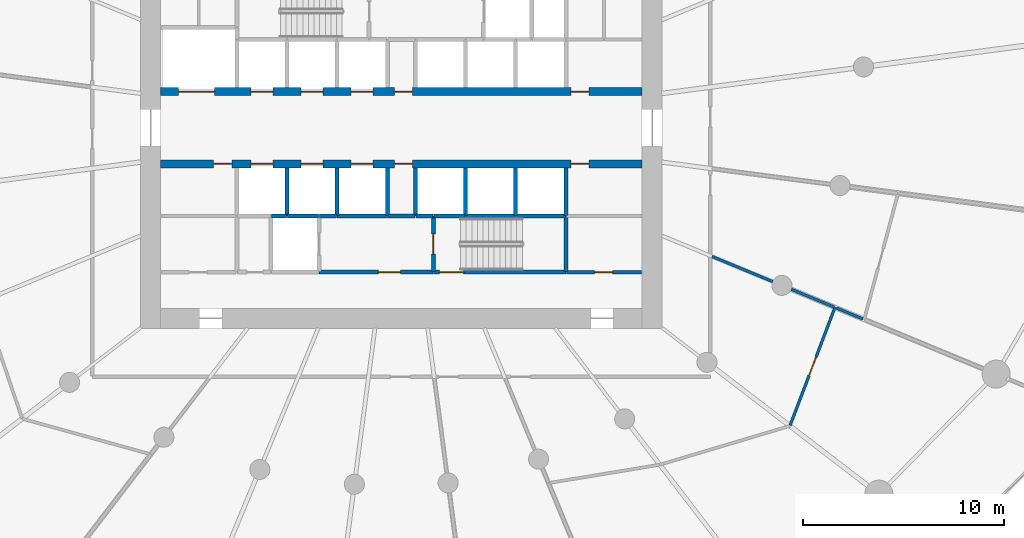
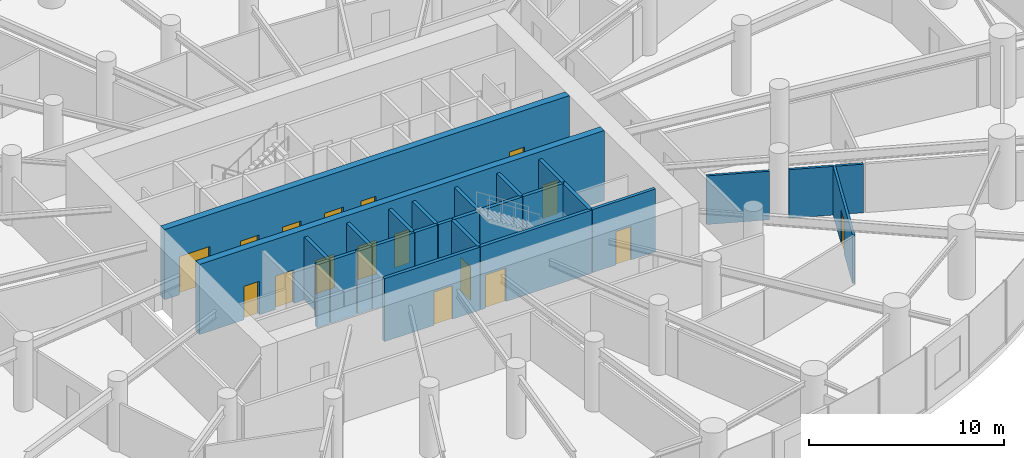
# One storey, part 12 of 19: 27 walls, 17 doors, 17 openings.
"""IFC4 building model written with IfcOpenShell, lengths in metres."""

from ifc_helpers import new_model, si_unit, direction, frame, frame_2d, origin, place, context, subcontext, project, spatial, rectangle, extrude, source, transform, mapped, material, layer, layer_set, type_object, element, fill, save


model = new_model("IFC4")

# Units and contexts
model_context = context("Model", 3, precision=1e-05, world=origin(), true_north=direction((0.0, 1.0)))
body_context = subcontext(model_context, "Body", "Model", "MODEL_VIEW")
ifc_project = project(units=[si_unit("LENGTHUNIT", "METRE"), si_unit("AREAUNIT", "SQUARE_METRE"), si_unit("VOLUMEUNIT", "CUBIC_METRE"), si_unit("PLANEANGLEUNIT", "RADIAN"), si_unit("MASSUNIT", "GRAM", prefix="KILO")], contexts=[model_context])

# Site, building, storey
site_placement = place(None, origin())
site = spatial("IfcSite", under=ifc_project, at=site_placement, CompositionType="ELEMENT")
building_placement = place(site_placement, origin())
building = spatial("IfcBuilding", under=site, at=building_placement, Name="Spindrift Exchange Tower", CompositionType="ELEMENT")
storey_placement = place(building_placement, frame((0.0, 0.0, 22.60009765625)))
storey = spatial("IfcBuildingStorey", under=building, at=storey_placement, Name="L05", CompositionType="ELEMENT", Elevation=22.60009765625)

# Wall, openings, doors
ifc_material_1 = material(Name="Concrete 80 MPa", Category="concrete")
ifc_layer_1 = layer(ifc_material_1, 0.39990234375)
ifc_layer_set_1 = layer_set([ifc_layer_1], Name="RC Spine Wall 400 Concrete 80 MPa")
wall_type_1 = type_object("IfcWallType", Name="RC Spine Wall 400 Concrete 80 MPa", PredefinedType="SHEAR", material=ifc_layer_set_1)
wall_1_placement = place(storey_placement, frame((40.0, 49.800048828125, 0.0), z_axis=(0.0, 0.0, 1.0), x_axis=(1.0, 0.0, 0.0)))
wall_1 = element("IfcWall", 1, at=wall_1_placement, inside=storey, type_object=wall_type_1, Name="Core spine wall N L05", PredefinedType="SHEAR", context=body_context, shape_type="SweptSolid", body=[
    extrude(rectangle(XDim=24.0, YDim=0.39990234375, at=frame_2d((12.0, 0.0))), origin(), (0.0, 0.0, 1.0), 4.39990234375),
])
opening_1_placement = place(wall_1_placement, frame((4.5, 0.0, 0.0)))
opening_1 = element("IfcOpeningElement", 2, at=opening_1_placement, cuts=wall_1, Name="Opening L05-D3", PredefinedType="OPENING", context=body_context, shape_type="SweptSolid", body=[
    extrude(rectangle(XDim=1.10009765625, YDim=2.10009765625, at=frame_2d((0.550048828125, 1.050048828125))), frame((0.0, 0.2099609375, 0.0), z_axis=(0.0, -1.0, 0.0), x_axis=(1.0, 0.0, 0.0)), (0.0, 0.0, 1.0), 0.419921875),
])
opening_2_placement = place(wall_1_placement, frame((7.0, 0.0, 0.0)))
opening_2 = element("IfcOpeningElement", 3, at=opening_2_placement, cuts=wall_1, Name="Opening L05-D4", PredefinedType="OPENING", context=body_context, shape_type="SweptSolid", body=[
    extrude(rectangle(XDim=1.10009765625, YDim=2.10009765625, at=frame_2d((0.550048828125, 1.050048828125))), frame((0.0, 0.2099609375, 0.0), z_axis=(0.0, -1.0, 0.0), x_axis=(1.0, 0.0, 0.0)), (0.0, 0.0, 1.0), 0.419921875),
])
opening_3_placement = place(wall_1_placement, frame((9.5, 0.0, 0.0)))
opening_3 = element("IfcOpeningElement", 4, at=opening_3_placement, cuts=wall_1, Name="Opening L05-D5", PredefinedType="OPENING", context=body_context, shape_type="SweptSolid", body=[
    extrude(rectangle(XDim=1.10009765625, YDim=2.10009765625, at=frame_2d((0.550048828125, 1.050048828125))), frame((0.0, 0.2099609375, 0.0), z_axis=(0.0, -1.0, 0.0), x_axis=(1.0, 0.0, 0.0)), (0.0, 0.0, 1.0), 0.419921875),
])
opening_4_placement = place(wall_1_placement, frame((0.89990234375, 0.0, 0.0)))
opening_4 = element("IfcOpeningElement", 5, at=opening_4_placement, cuts=wall_1, Name="Opening L05-D12", PredefinedType="OPENING", context=body_context, shape_type="SweptSolid", body=[
    extrude(rectangle(XDim=1.800048828125, YDim=2.39990234375, at=frame_2d((0.89990234375, 1.199951171875))), frame((0.0, 0.2099609375, 0.0), z_axis=(0.0, -1.0, 0.0), x_axis=(1.0, 0.0, 0.0)), (0.0, 0.0, 1.0), 0.419921875),
])
opening_5_placement = place(wall_1_placement, frame((20.449951171875, 0.0, 0.0)))
opening_5 = element("IfcOpeningElement", 6, at=opening_5_placement, cuts=wall_1, Name="Opening L05-D48", PredefinedType="OPENING", context=body_context, shape_type="SweptSolid", body=[
    extrude(rectangle(XDim=0.89990234375, YDim=2.10009765625, at=frame_2d((0.449951171875, 1.050048828125))), frame((0.0, 0.2099609375, 0.0), z_axis=(0.0, -1.0, 0.0), x_axis=(1.0, 0.0, 0.0)), (0.0, 0.0, 1.0), 0.419921875),
])
opening_6_placement = place(wall_1_placement, frame((11.64990234375, 0.0, 0.0)))
opening_6 = element("IfcOpeningElement", 7, at=opening_6_placement, cuts=wall_1, Name="Opening L05-D53", PredefinedType="OPENING", context=body_context, shape_type="SweptSolid", body=[
    extrude(rectangle(XDim=0.89990234375, YDim=2.10009765625, at=frame_2d((0.449951171875, 1.050048828125))), frame((0.0, 0.2099609375, 0.0), z_axis=(0.0, -1.0, 0.0), x_axis=(1.0, 0.0, 0.0)), (0.0, 0.0, 1.0), 0.419921875),
])
ifc_material_2 = material(Name="Stainless steel landing door", Category="steel")
door_type_1 = type_object("IfcDoorType", Name="DR-LANDING-1100-SL", OperationType="DOUBLE_DOOR_SLIDING", PredefinedType="USERDEFINED", material=ifc_material_2)
shared_shape_1 = source(origin(), body_context, "Body", "SweptSolid", [
    extrude(rectangle(XDim=1.10009765625, YDim=2.10009765625, at=frame_2d((0.550048828125, 1.050048828125))), frame((0.0, 0.02490234375, 0.0), z_axis=(0.0, -1.0, 0.0), x_axis=(1.0, 0.0, 0.0)), (0.0, 0.0, 1.0), 0.050048828125),
])
door_1_placement = place(opening_1_placement, origin())
door_1 = element("IfcDoor", 8, at=door_1_placement, inside=storey, type_object=door_type_1, Name="L05 Lift landing door 3", ObjectType="LANDING DOOR", OperationType="DOUBLE_DOOR_SLIDING", OverallHeight=2.10009765625, OverallWidth=1.10009765625, PredefinedType="USERDEFINED", context=body_context, shape_type="MappedRepresentation", body=[
    mapped(shared_shape_1, transform((0.0, 0.0, 0.0), scale=1.0)),
])
fill(opening_1, door_1)
door_2_placement = place(opening_2_placement, origin())
door_2 = element("IfcDoor", 9, at=door_2_placement, inside=storey, type_object=door_type_1, Name="L05 Lift landing door 4", ObjectType="LANDING DOOR", OperationType="DOUBLE_DOOR_SLIDING", OverallHeight=2.10009765625, OverallWidth=1.10009765625, PredefinedType="USERDEFINED", context=body_context, shape_type="MappedRepresentation", body=[
    mapped(shared_shape_1, transform((0.0, 0.0, 0.0), scale=1.0)),
])
fill(opening_2, door_2)
door_3_placement = place(opening_3_placement, origin())
door_3 = element("IfcDoor", 10, at=door_3_placement, inside=storey, type_object=door_type_1, Name="L05 Lift landing door 5", ObjectType="LANDING DOOR", OperationType="DOUBLE_DOOR_SLIDING", OverallHeight=2.10009765625, OverallWidth=1.10009765625, PredefinedType="USERDEFINED", context=body_context, shape_type="MappedRepresentation", body=[
    mapped(shared_shape_1, transform((0.0, 0.0, 0.0), scale=1.0)),
])
fill(opening_3, door_3)
door_type_2 = type_object("IfcDoorType", Name="DR-LANDING-1800-SL", OperationType="DOUBLE_DOOR_SLIDING", PredefinedType="USERDEFINED", material=ifc_material_2)
shared_shape_2 = source(origin(), body_context, "Body", "SweptSolid", [
    extrude(rectangle(XDim=1.800048828125, YDim=2.39990234375, at=frame_2d((0.89990234375, 1.199951171875))), frame((0.0, 0.02490234375, 0.0), z_axis=(0.0, -1.0, 0.0), x_axis=(1.0, 0.0, 0.0)), (0.0, 0.0, 1.0), 0.050048828125),
])
door_4_placement = place(opening_4_placement, origin())
door_4 = element("IfcDoor", 11, at=door_4_placement, inside=storey, type_object=door_type_2, Name="L05 Lift landing door 12", ObjectType="LANDING DOOR", OperationType="DOUBLE_DOOR_SLIDING", OverallHeight=2.39990234375, OverallWidth=1.800048828125, PredefinedType="USERDEFINED", context=body_context, shape_type="MappedRepresentation", body=[
    mapped(shared_shape_2, transform((0.0, 0.0, 0.0), scale=1.0)),
])
fill(opening_4, door_4)
ifc_material_3 = material(Name="Steel access door", Category="steel")
door_type_3 = type_object("IfcDoorType", Name="DR-RISER-900", OperationType="NOTDEFINED", PredefinedType="DOOR", material=ifc_material_3)
shared_shape_3 = source(origin(), body_context, "Body", "SweptSolid", [
    extrude(rectangle(XDim=0.89990234375, YDim=2.10009765625, at=frame_2d((0.449951171875, 1.050048828125))), frame((0.0, 0.02490234375, 0.0), z_axis=(0.0, -1.0, 0.0), x_axis=(1.0, 0.0, 0.0)), (0.0, 0.0, 1.0), 0.050048828125),
])
door_5_placement = place(opening_5_placement, origin())
door_5 = element("IfcDoor", 12, at=door_5_placement, inside=storey, type_object=door_type_3, Name="L05 Riser door 48", OperationType="SINGLE_SWING_LEFT", OverallHeight=2.10009765625, OverallWidth=0.89990234375, PredefinedType="DOOR", context=body_context, shape_type="MappedRepresentation", body=[
    mapped(shared_shape_3, transform((0.0, 0.0, 0.0), scale=1.0)),
])
fill(opening_5, door_5)
door_6_placement = place(opening_6_placement, origin())
door_6 = element("IfcDoor", 13, at=door_6_placement, inside=storey, type_object=door_type_3, Name="L05 Riser door 53", OperationType="SINGLE_SWING_RIGHT", OverallHeight=2.10009765625, OverallWidth=0.89990234375, PredefinedType="DOOR", context=body_context, shape_type="MappedRepresentation", body=[
    mapped(shared_shape_3, transform((0.0, 0.0, 0.0), scale=1.0)),
])
fill(opening_6, door_6)

wall_2_placement = place(storey_placement, frame((40.0, 46.199951171875, 0.0), z_axis=(0.0, 0.0, 1.0), x_axis=(1.0, 0.0, 0.0)))
wall_2 = element("IfcWall", 14, at=wall_2_placement, inside=storey, type_object=wall_type_1, Name="Core spine wall S L05", PredefinedType="SHEAR", context=body_context, shape_type="SweptSolid", body=[
    extrude(rectangle(XDim=24.0, YDim=0.39990234375, at=frame_2d((12.0, 0.0))), origin(), (0.0, 0.0, 1.0), 4.39990234375),
])
opening_7_placement = place(wall_2_placement, frame((4.5, 0.0, 0.0)))
opening_7 = element("IfcOpeningElement", 15, at=opening_7_placement, cuts=wall_2, Name="Opening L05-D6", PredefinedType="OPENING", context=body_context, shape_type="SweptSolid", body=[
    extrude(rectangle(XDim=1.10009765625, YDim=2.10009765625, at=frame_2d((0.550048828125, 1.050048828125))), frame((0.0, 0.2099609375, 0.0), z_axis=(0.0, -1.0, 0.0), x_axis=(1.0, 0.0, 0.0)), (0.0, 0.0, 1.0), 0.419921875),
])
opening_8_placement = place(wall_2_placement, frame((7.0, 0.0, 0.0)))
opening_8 = element("IfcOpeningElement", 16, at=opening_8_placement, cuts=wall_2, Name="Opening L05-D7", PredefinedType="OPENING", context=body_context, shape_type="SweptSolid", body=[
    extrude(rectangle(XDim=1.10009765625, YDim=2.10009765625, at=frame_2d((0.550048828125, 1.050048828125))), frame((0.0, 0.2099609375, 0.0), z_axis=(0.0, -1.0, 0.0), x_axis=(1.0, 0.0, 0.0)), (0.0, 0.0, 1.0), 0.419921875),
])
opening_9_placement = place(wall_2_placement, frame((9.5, 0.0, 0.0)))
opening_9 = element("IfcOpeningElement", 17, at=opening_9_placement, cuts=wall_2, Name="Opening L05-D8", PredefinedType="OPENING", context=body_context, shape_type="SweptSolid", body=[
    extrude(rectangle(XDim=1.10009765625, YDim=2.10009765625, at=frame_2d((0.550048828125, 1.050048828125))), frame((0.0, 0.2099609375, 0.0), z_axis=(0.0, -1.0, 0.0), x_axis=(1.0, 0.0, 0.0)), (0.0, 0.0, 1.0), 0.419921875),
])
opening_10_placement = place(wall_2_placement, frame((20.449951171875, 0.0, 0.0)))
opening_10 = element("IfcOpeningElement", 18, at=opening_10_placement, cuts=wall_2, Name="Opening L05-D47", PredefinedType="OPENING", context=body_context, shape_type="SweptSolid", body=[
    extrude(rectangle(XDim=0.89990234375, YDim=2.10009765625, at=frame_2d((0.449951171875, 1.050048828125))), frame((0.0, 0.2099609375, 0.0), z_axis=(0.0, -1.0, 0.0), x_axis=(1.0, 0.0, 0.0)), (0.0, 0.0, 1.0), 0.419921875),
])
opening_11_placement = place(wall_2_placement, frame((2.64990234375, 0.0, 0.0)))
opening_11 = element("IfcOpeningElement", 19, at=opening_11_placement, cuts=wall_2, Name="Opening L05-D52", PredefinedType="OPENING", context=body_context, shape_type="SweptSolid", body=[
    extrude(rectangle(XDim=0.89990234375, YDim=2.10009765625, at=frame_2d((0.449951171875, 1.050048828125))), frame((0.0, 0.2099609375, 0.0), z_axis=(0.0, -1.0, 0.0), x_axis=(1.0, 0.0, 0.0)), (0.0, 0.0, 1.0), 0.419921875),
])
opening_12_placement = place(wall_2_placement, frame((11.64990234375, 0.0, 0.0)))
opening_12 = element("IfcOpeningElement", 20, at=opening_12_placement, cuts=wall_2, Name="Opening L05-D54", PredefinedType="OPENING", context=body_context, shape_type="SweptSolid", body=[
    extrude(rectangle(XDim=0.89990234375, YDim=2.10009765625, at=frame_2d((0.449951171875, 1.050048828125))), frame((0.0, 0.2099609375, 0.0), z_axis=(0.0, -1.0, 0.0), x_axis=(1.0, 0.0, 0.0)), (0.0, 0.0, 1.0), 0.419921875),
])
door_7_placement = place(opening_7_placement, origin())
door_7 = element("IfcDoor", 21, at=door_7_placement, inside=storey, type_object=door_type_1, Name="L05 Lift landing door 6", ObjectType="LANDING DOOR", OperationType="DOUBLE_DOOR_SLIDING", OverallHeight=2.10009765625, OverallWidth=1.10009765625, PredefinedType="USERDEFINED", context=body_context, shape_type="MappedRepresentation", body=[
    mapped(shared_shape_1, transform((0.0, 0.0, 0.0), scale=1.0)),
])
fill(opening_7, door_7)
door_8_placement = place(opening_8_placement, origin())
door_8 = element("IfcDoor", 22, at=door_8_placement, inside=storey, type_object=door_type_1, Name="L05 Lift landing door 7", ObjectType="LANDING DOOR", OperationType="DOUBLE_DOOR_SLIDING", OverallHeight=2.10009765625, OverallWidth=1.10009765625, PredefinedType="USERDEFINED", context=body_context, shape_type="MappedRepresentation", body=[
    mapped(shared_shape_1, transform((0.0, 0.0, 0.0), scale=1.0)),
])
fill(opening_8, door_8)
door_9_placement = place(opening_9_placement, origin())
door_9 = element("IfcDoor", 23, at=door_9_placement, inside=storey, type_object=door_type_1, Name="L05 Lift landing door 8", ObjectType="LANDING DOOR", OperationType="DOUBLE_DOOR_SLIDING", OverallHeight=2.10009765625, OverallWidth=1.10009765625, PredefinedType="USERDEFINED", context=body_context, shape_type="MappedRepresentation", body=[
    mapped(shared_shape_1, transform((0.0, 0.0, 0.0), scale=1.0)),
])
fill(opening_9, door_9)
door_10_placement = place(opening_10_placement, origin())
door_10 = element("IfcDoor", 24, at=door_10_placement, inside=storey, type_object=door_type_3, Name="L05 Riser door 47", OperationType="SINGLE_SWING_RIGHT", OverallHeight=2.10009765625, OverallWidth=0.89990234375, PredefinedType="DOOR", context=body_context, shape_type="MappedRepresentation", body=[
    mapped(shared_shape_3, transform((0.0, 0.0, 0.0), scale=1.0)),
])
fill(opening_10, door_10)
door_11_placement = place(opening_11_placement, origin())
door_11 = element("IfcDoor", 25, at=door_11_placement, inside=storey, type_object=door_type_3, Name="L05 Riser door 52", OperationType="SINGLE_SWING_LEFT", OverallHeight=2.10009765625, OverallWidth=0.89990234375, PredefinedType="DOOR", context=body_context, shape_type="MappedRepresentation", body=[
    mapped(shared_shape_3, transform((0.0, 0.0, 0.0), scale=1.0)),
])
fill(opening_11, door_11)
door_12_placement = place(opening_12_placement, origin())
door_12 = element("IfcDoor", 26, at=door_12_placement, inside=storey, type_object=door_type_3, Name="L05 Riser door 54", OperationType="SINGLE_SWING_LEFT", OverallHeight=2.10009765625, OverallWidth=0.89990234375, PredefinedType="DOOR", context=body_context, shape_type="MappedRepresentation", body=[
    mapped(shared_shape_3, transform((0.0, 0.0, 0.0), scale=1.0)),
])
fill(opening_12, door_12)

# Wall, opening, door
ifc_material_4 = material(Name="Fire-rated plasterboard partition", Category="gypsum")
ifc_layer_2 = layer(ifc_material_4, 0.179931640625)
ifc_layer_set_2 = layer_set([ifc_layer_2], Name="W-CORR-180")
wall_type_2 = type_object("IfcWallType", Name="W-CORR-180", PredefinedType="PARTITIONING", material=ifc_layer_set_2)
wall_3_placement = place(storey_placement, frame((60.22998046875, 40.800048828125, 0.0), z_axis=(0.0, 0.0, 1.0), x_axis=(1.0, 0.0, 0.0)))
wall_3 = element("IfcWall", 27, at=wall_3_placement, inside=storey, type_object=wall_type_2, Name="L05 Partition wall 63", PredefinedType="PARTITIONING", context=body_context, shape_type="SweptSolid", body=[
    extrude(rectangle(XDim=3.75, YDim=0.179931640625, at=frame_2d((1.875, 0.0))), origin(), (0.0, 0.0, 1.0), 3.949951171875),
])
opening_13_placement = place(wall_3_placement, frame((1.39990234375, 0.0, 0.0)))
opening_13 = element("IfcOpeningElement", 28, at=opening_13_placement, cuts=wall_3, Name="Opening L05-D51", PredefinedType="OPENING", context=body_context, shape_type="SweptSolid", body=[
    extrude(rectangle(XDim=0.89990234375, YDim=2.10009765625, at=frame_2d((0.449951171875, 1.050048828125))), frame((0.0, 0.099853515625, 0.0), z_axis=(0.0, -1.0, 0.0), x_axis=(1.0, 0.0, 0.0)), (0.0, 0.0, 1.0), 0.199951171875),
])
door_13_placement = place(opening_13_placement, origin())
door_13 = element("IfcDoor", 29, at=door_13_placement, inside=storey, type_object=door_type_3, Name="L05 Riser door 51", OperationType="SINGLE_SWING_RIGHT", OverallHeight=2.10009765625, OverallWidth=0.89990234375, PredefinedType="DOOR", context=body_context, shape_type="MappedRepresentation", body=[
    mapped(shared_shape_3, transform((0.0, 0.0, 0.0), scale=1.0)),
])
fill(opening_13, door_13)

ifc_layer_3 = layer(ifc_material_4, 0.139892578125)
ifc_layer_set_3 = layer_set([ifc_layer_3], Name="W-PLANT-140")
wall_type_3 = type_object("IfcWallType", Name="W-PLANT-140", PredefinedType="PARTITIONING", material=ifc_layer_set_3)
wall_4_placement = place(storey_placement, frame((73.612548828125, 39.0478515625, 0.0), z_axis=(0.0, 0.0, 1.0), x_axis=(-0.355249637072, -0.934771466916, 0.0)))
wall_4 = element("IfcWall", 30, at=wall_4_placement, inside=storey, type_object=wall_type_3, Name="L05 Partition wall 81", PredefinedType="PARTITIONING", context=body_context, shape_type="SweptSolid", body=[
    extrude(rectangle(XDim=6.291015625, YDim=0.139892578125, at=frame_2d((3.1455078125, 0.0))), origin(), (0.0, 0.0, 1.0), 3.0498046875),
])
opening_14_placement = place(wall_4_placement, frame((2.640869140625, 0.0, 0.0)))
opening_14 = element("IfcOpeningElement", 31, at=opening_14_placement, cuts=wall_4, Name="Opening L05-D41", PredefinedType="OPENING", context=body_context, shape_type="SweptSolid", body=[
    extrude(rectangle(XDim=1.0, YDim=2.10009765625, at=frame_2d((0.5, 1.050048828125))), frame((0.0, 0.079833984375, 0.0), z_axis=(0.0, -1.0, 0.0), x_axis=(1.0, 0.0, 0.0)), (0.0, 0.0, 1.0), 0.159912109375),
])
ifc_material_5 = material(Name="Timber-core fire door", Category="wood")
door_type_4 = type_object("IfcDoorType", Name="DR-ROOM-1000", OperationType="NOTDEFINED", PredefinedType="DOOR", material=ifc_material_5)
shared_shape_4 = source(origin(), body_context, "Body", "SweptSolid", [
    extrude(rectangle(XDim=1.0, YDim=2.10009765625, at=frame_2d((0.5, 1.050048828125))), frame((0.0, 0.02490234375, 0.0), z_axis=(0.0, -1.0, 0.0), x_axis=(1.0, 0.0, 0.0)), (0.0, 0.0, 1.0), 0.050048828125),
])
door_14_placement = place(opening_14_placement, origin())
door_14 = element("IfcDoor", 32, at=door_14_placement, inside=storey, type_object=door_type_4, Name="L05 Door 41", OperationType="SINGLE_SWING_RIGHT", OverallHeight=2.10009765625, OverallWidth=1.0, PredefinedType="DOOR", context=body_context, shape_type="MappedRepresentation", body=[
    mapped(shared_shape_4, transform((0.0, 0.0, 0.0), scale=1.0)),
])
fill(opening_14, door_14)

# Walls
wall_5_placement = place(storey_placement, frame((67.489990234375, 41.583740234375, 0.0), z_axis=(0.0, 0.0, 1.0), x_axis=(0.923911109142, -0.382607190737, 0.0)))
element("IfcWall", 33, at=wall_5_placement, inside=storey, type_object=wall_type_3, Name="L05 Partition wall 105", PredefinedType="PARTITIONING", context=body_context, shape_type="SweptSolid", body=[
    extrude(rectangle(XDim=3.264404296875, YDim=0.139892578125, at=frame_2d((1.63232421875, 0.0))), origin(), (0.0, 0.0, 1.0), 3.0498046875),
])
wall_6_placement = place(storey_placement, frame((71.439208984375, 39.947998046875, 0.0), z_axis=(0.0, 0.0, 1.0), x_axis=(0.923861804277, -0.382726229306, 0.0)))
element("IfcWall", 34, at=wall_6_placement, inside=storey, type_object=wall_type_3, Name="L05 Partition wall 113", PredefinedType="PARTITIONING", context=body_context, shape_type="SweptSolid", body=[
    extrude(rectangle(XDim=2.322509765625, YDim=0.139892578125, at=frame_2d((1.1611328125, 0.0))), origin(), (0.0, 0.0, 1.0), 3.0498046875),
])
wall_7_placement = place(storey_placement, frame((73.67724609375, 39.02099609375, 0.0), z_axis=(0.0, 0.0, 1.0), x_axis=(0.923859397542, -0.382732038864, 0.0)))
element("IfcWall", 35, at=wall_7_placement, inside=storey, type_object=wall_type_3, Name="L05 Partition wall 121", PredefinedType="PARTITIONING", context=body_context, shape_type="SweptSolid", body=[
    extrude(rectangle(XDim=1.4365234375, YDim=0.139892578125, at=frame_2d((0.71826171875, 0.0))), origin(), (0.0, 0.0, 1.0), 3.0498046875),
])
ifc_material_6 = material(Name="Concrete 40 MPa", Category="concrete")
ifc_layer_4 = layer(ifc_material_6, 0.199951171875)
ifc_layer_set_4 = layer_set([ifc_layer_4], Name="W-SHAFT-200")
wall_type_4 = type_object("IfcWallType", Name="W-SHAFT-200", PredefinedType="SOLIDWALL", material=ifc_layer_set_4)
wall_8_placement = place(storey_placement, frame((48.800048828125, 43.60009765625, 0.0), z_axis=(0.0, 0.0, 1.0), x_axis=(1.0, 0.0, 0.0)))
element("IfcWall", 36, at=wall_8_placement, inside=storey, type_object=wall_type_4, Name="L05 Shaft wall 17", PredefinedType="SOLIDWALL", context=body_context, shape_type="SweptSolid", body=[
    extrude(rectangle(XDim=2.5, YDim=0.199951171875, at=frame_2d((1.25, 0.0))), origin(), (0.0, 0.0, 1.0), 3.949951171875),
])
wall_9_placement = place(storey_placement, frame((46.300048828125, 43.60009765625, 0.0), z_axis=(0.0, 0.0, 1.0), x_axis=(0.0, 1.0, 0.0)))
element("IfcWall", 37, at=wall_9_placement, inside=storey, type_object=wall_type_4, Name="L05 Shaft wall 25", PredefinedType="SOLIDWALL", context=body_context, shape_type="SweptSolid", body=[
    extrude(rectangle(XDim=2.389892578125, YDim=0.199951171875, at=frame_2d((1.19482421875, 0.0))), origin(), (0.0, 0.0, 1.0), 3.949951171875),
])
for number, where, z_axis, x_axis, name in (
    (38, (48.800048828125, 43.6298828125, 0.0), (0.0, 0.0, 1.0), (0.0, 1.0, 0.0), "L05 Shaft wall 27"),
    (39, (51.300048828125, 43.6298828125, 0.0), (0.0, 0.0, 1.0), (0.0, 1.0, 0.0), "L05 Shaft wall 29"),
):
    element("IfcWall", number, at=place(storey_placement, frame(where, z_axis=z_axis, x_axis=x_axis)), inside=storey, type_object=wall_type_4, Name=name, PredefinedType="SOLIDWALL", context=body_context, shape_type="SweptSolid", body=[
        extrude(rectangle(XDim=2.360107421875, YDim=0.199951171875, at=frame_2d((1.18017578125, 0.0))), origin(), (0.0, 0.0, 1.0), 3.949951171875),
    ])
wall_10_placement = place(storey_placement, frame((52.699951171875, 45.989990234375, 0.0), z_axis=(0.0, 0.0, 1.0), x_axis=(0.0, -1.0, 0.0)))
element("IfcWall", 40, at=wall_10_placement, inside=storey, type_object=wall_type_4, Name="L05 Shaft wall 31", PredefinedType="SOLIDWALL", context=body_context, shape_type="SweptSolid", body=[
    extrude(rectangle(XDim=2.389892578125, YDim=0.199951171875, at=frame_2d((1.19482421875, 0.0))), origin(), (0.0, 0.0, 1.0), 3.949951171875),
])
wall_11_placement = place(storey_placement, frame((46.330078125, 43.60009765625, 0.0), z_axis=(0.0, 0.0, 1.0), x_axis=(1.0, 0.0, 0.0)))
element("IfcWall", 41, at=wall_11_placement, inside=storey, type_object=wall_type_4, Name="L05 Shaft wall 44", PredefinedType="SOLIDWALL", context=body_context, shape_type="SweptSolid", body=[
    extrude(rectangle(XDim=1.5400390625, YDim=0.199951171875, at=frame_2d((0.77001953125, 0.0))), origin(), (0.0, 0.0, 1.0), 3.949951171875),
])
wall_12_placement = place(storey_placement, frame((52.669921875, 43.60009765625, 0.0), z_axis=(0.0, 0.0, 1.0), x_axis=(-1.0, 0.0, 0.0)))
element("IfcWall", 42, at=wall_12_placement, inside=storey, type_object=wall_type_4, Name="L05 Shaft wall 48", PredefinedType="SOLIDWALL", context=body_context, shape_type="SweptSolid", body=[
    extrude(rectangle(XDim=1.33984375, YDim=0.199951171875, at=frame_2d((0.669921875, 0.0))), origin(), (0.0, 0.0, 1.0), 3.949951171875),
])
wall_13_placement = place(storey_placement, frame((47.929931640625, 43.60009765625, 0.0), z_axis=(0.0, 0.0, 1.0), x_axis=(1.0, 0.0, 0.0)))
element("IfcWall", 43, at=wall_13_placement, inside=storey, type_object=wall_type_4, Name="L05 Shaft wall 50", PredefinedType="SOLIDWALL", context=body_context, shape_type="SweptSolid", body=[
    extrude(rectangle(XDim=0.840087890625, YDim=0.199951171875, at=frame_2d((0.419921875, 0.0))), origin(), (0.0, 0.0, 1.0), 3.949951171875),
])
wall_14_placement = place(storey_placement, frame((45.530029296875, 43.60009765625, 0.0), z_axis=(0.0, 0.0, 1.0), x_axis=(1.0, 0.0, 0.0)))
element("IfcWall", 44, at=wall_14_placement, inside=storey, type_object=wall_type_4, Name="L05 Shaft wall 54", PredefinedType="SOLIDWALL", context=body_context, shape_type="SweptSolid", body=[
    extrude(rectangle(XDim=0.739990234375, YDim=0.199951171875, at=frame_2d((0.3701171875, 0.0))), origin(), (0.0, 0.0, 1.0), 3.949951171875),
])

# Wall, opening, door
ifc_layer_5 = layer(ifc_material_6, 0.199951171875)
ifc_layer_set_5 = layer_set([ifc_layer_5], Name="W-SHAFT-200-LB")
wall_type_5 = type_object("IfcWallType", Name="W-SHAFT-200-LB", PredefinedType="SOLIDWALL", material=ifc_layer_set_5)
wall_15_placement = place(storey_placement, frame((53.60009765625, 40.800048828125, 0.0), z_axis=(0.0, 0.0, 1.0), x_axis=(1.0, 0.0, 0.0)))
wall_15 = element("IfcWall", 45, at=wall_15_placement, inside=storey, type_object=wall_type_5, Name="L05 Shaft wall 2", PredefinedType="SOLIDWALL", context=body_context, shape_type="SweptSolid", body=[
    extrude(rectangle(XDim=6.599853515625, YDim=0.199951171875, at=frame_2d((3.2998046875, 0.0))), origin(), (0.0, 0.0, 1.0), 3.949951171875),
])
opening_15_placement = place(wall_15_placement, frame((0.300048828125, 0.0, 0.0)))
opening_15 = element("IfcOpeningElement", 46, at=opening_15_placement, cuts=wall_15, Name="Opening L05-D16", PredefinedType="OPENING", context=body_context, shape_type="SweptSolid", body=[
    extrude(rectangle(XDim=1.199951171875, YDim=2.10009765625, at=frame_2d((0.60009765625, 1.050048828125))), frame((0.0, 0.10986328125, 0.0), z_axis=(0.0, -1.0, 0.0), x_axis=(1.0, 0.0, 0.0)), (0.0, 0.0, 1.0), 0.219970703125),
])
ifc_material_7 = material(Name="Steel fire door", Category="steel")
door_type_5 = type_object("IfcDoorType", Name="DR-STAIR-1200", OperationType="NOTDEFINED", PredefinedType="DOOR", material=ifc_material_7)
shared_shape_5 = source(origin(), body_context, "Body", "SweptSolid", [
    extrude(rectangle(XDim=1.199951171875, YDim=2.10009765625, at=frame_2d((0.60009765625, 1.050048828125))), frame((0.0, 0.02490234375, 0.0), z_axis=(0.0, -1.0, 0.0), x_axis=(1.0, 0.0, 0.0)), (0.0, 0.0, 1.0), 0.050048828125),
])
door_15_placement = place(opening_15_placement, origin())
door_15 = element("IfcDoor", 47, at=door_15_placement, inside=storey, type_object=door_type_5, Name="L05 Stair door 16", OperationType="SINGLE_SWING_LEFT", OverallHeight=2.10009765625, OverallWidth=1.199951171875, PredefinedType="DOOR", context=body_context, shape_type="MappedRepresentation", body=[
    mapped(shared_shape_5, transform((0.0, 0.0, 0.0), scale=1.0)),
])
fill(opening_15, door_15)

wall_16_placement = place(storey_placement, frame((47.89990234375, 40.800048828125, 0.0), z_axis=(0.0, 0.0, 1.0), x_axis=(1.0, 0.0, 0.0)))
wall_16 = element("IfcWall", 48, at=wall_16_placement, inside=storey, type_object=wall_type_5, Name="L05 Shaft wall 3", PredefinedType="SOLIDWALL", context=body_context, shape_type="SweptSolid", body=[
    extrude(rectangle(XDim=5.670166015625, YDim=0.199951171875, at=frame_2d((2.8349609375, 0.0))), origin(), (0.0, 0.0, 1.0), 3.949951171875),
])
opening_16_placement = place(wall_16_placement, frame((2.949951171875, 0.0, 0.0)))
opening_16 = element("IfcOpeningElement", 49, at=opening_16_placement, cuts=wall_16, Name="Opening L05-D18", PredefinedType="OPENING", context=body_context, shape_type="SweptSolid", body=[
    extrude(rectangle(XDim=1.10009765625, YDim=2.10009765625, at=frame_2d((0.550048828125, 1.050048828125))), frame((0.0, 0.10986328125, 0.0), z_axis=(0.0, -1.0, 0.0), x_axis=(1.0, 0.0, 0.0)), (0.0, 0.0, 1.0), 0.219970703125),
])
door_type_6 = type_object("IfcDoorType", Name="DR-LOBBY-1100", OperationType="NOTDEFINED", PredefinedType="DOOR", material=ifc_material_5)
shared_shape_6 = source(origin(), body_context, "Body", "SweptSolid", [
    extrude(rectangle(XDim=1.10009765625, YDim=2.10009765625, at=frame_2d((0.550048828125, 1.050048828125))), frame((0.0, 0.02490234375, 0.0), z_axis=(0.0, -1.0, 0.0), x_axis=(1.0, 0.0, 0.0)), (0.0, 0.0, 1.0), 0.050048828125),
])
door_16_placement = place(opening_16_placement, origin())
door_16 = element("IfcDoor", 50, at=door_16_placement, inside=storey, type_object=door_type_6, Name="L05 Lobby door 18", OperationType="SINGLE_SWING_LEFT", OverallHeight=2.10009765625, OverallWidth=1.10009765625, PredefinedType="DOOR", context=body_context, shape_type="MappedRepresentation", body=[
    mapped(shared_shape_6, transform((0.0, 0.0, 0.0), scale=1.0)),
])
fill(opening_16, door_16)

# Wall
wall_17_placement = place(storey_placement, frame((60.199951171875, 40.830078125, 0.0), z_axis=(0.0, 0.0, 1.0), x_axis=(0.0, 1.0, 0.0)))
element("IfcWall", 51, at=wall_17_placement, inside=storey, type_object=wall_type_5, Name="L05 Shaft wall 10", PredefinedType="SOLIDWALL", context=body_context, shape_type="SweptSolid", body=[
    extrude(rectangle(XDim=2.77001953125, YDim=0.199951171875, at=frame_2d((1.385009765625, 0.0))), origin(), (0.0, 0.0, 1.0), 3.949951171875),
])

# Wall, opening, door
wall_18_placement = place(storey_placement, frame((53.60009765625, 43.60009765625, 0.0), z_axis=(0.0, 0.0, 1.0), x_axis=(0.0, -1.0, 0.0)))
wall_18 = element("IfcWall", 52, at=wall_18_placement, inside=storey, type_object=wall_type_5, Name="L05 Shaft wall 11", PredefinedType="SOLIDWALL", context=body_context, shape_type="SweptSolid", body=[
    extrude(rectangle(XDim=2.77001953125, YDim=0.199951171875, at=frame_2d((1.385009765625, 0.0))), origin(), (0.0, 0.0, 1.0), 3.949951171875),
])
opening_17_placement = place(wall_18_placement, frame((0.89990234375, 0.0, 0.0)))
opening_17 = element("IfcOpeningElement", 53, at=opening_17_placement, cuts=wall_18, Name="Opening L05-D17", PredefinedType="OPENING", context=body_context, shape_type="SweptSolid", body=[
    extrude(rectangle(XDim=1.0, YDim=2.10009765625, at=frame_2d((0.5, 1.050048828125))), frame((0.0, 0.10986328125, 0.0), z_axis=(0.0, -1.0, 0.0), x_axis=(1.0, 0.0, 0.0)), (0.0, 0.0, 1.0), 0.219970703125),
])
door_type_7 = type_object("IfcDoorType", Name="DR-STAIR-1000", OperationType="NOTDEFINED", PredefinedType="DOOR", material=ifc_material_7)
shared_shape_7 = source(origin(), body_context, "Body", "SweptSolid", [
    extrude(rectangle(XDim=1.0, YDim=2.10009765625, at=frame_2d((0.5, 1.050048828125))), frame((0.0, 0.02490234375, 0.0), z_axis=(0.0, -1.0, 0.0), x_axis=(1.0, 0.0, 0.0)), (0.0, 0.0, 1.0), 0.050048828125),
])
door_17_placement = place(opening_17_placement, origin())
door_17 = element("IfcDoor", 54, at=door_17_placement, inside=storey, type_object=door_type_7, Name="L05 Stair door 17", OperationType="SINGLE_SWING_RIGHT", OverallHeight=2.10009765625, OverallWidth=1.0, PredefinedType="DOOR", context=body_context, shape_type="MappedRepresentation", body=[
    mapped(shared_shape_7, transform((0.0, 0.0, 0.0), scale=1.0)),
])
fill(opening_17, door_17)

# Walls
wall_19_placement = place(storey_placement, frame((55.199951171875, 43.60009765625, 0.0), z_axis=(0.0, 0.0, 1.0), x_axis=(1.0, 0.0, 0.0)))
element("IfcWall", 55, at=wall_19_placement, inside=storey, type_object=wall_type_5, Name="L05 Shaft wall 19", PredefinedType="SOLIDWALL", context=body_context, shape_type="SweptSolid", body=[
    extrude(rectangle(XDim=2.5, YDim=0.199951171875, at=frame_2d((1.25, 0.0))), origin(), (0.0, 0.0, 1.0), 3.949951171875),
])
wall_20_placement = place(storey_placement, frame((57.72998046875, 43.60009765625, 0.0), z_axis=(0.0, 0.0, 1.0), x_axis=(1.0, 0.0, 0.0)))
element("IfcWall", 56, at=wall_20_placement, inside=storey, type_object=wall_type_5, Name="L05 Shaft wall 20", PredefinedType="SOLIDWALL", context=body_context, shape_type="SweptSolid", body=[
    extrude(rectangle(XDim=2.43994140625, YDim=0.199951171875, at=frame_2d((1.219970703125, 0.0))), origin(), (0.0, 0.0, 1.0), 3.949951171875),
])
for number, where, z_axis, x_axis, name in (
    (57, (55.199951171875, 43.6298828125, 0.0), (0.0, 0.0, 1.0), (0.0, 1.0, 0.0), "L05 Shaft wall 33"),
    (58, (57.699951171875, 43.6298828125, 0.0), (0.0, 0.0, 1.0), (0.0, 1.0, 0.0), "L05 Shaft wall 35"),
    (59, (60.199951171875, 43.6298828125, 0.0), (0.0, 0.0, 1.0), (0.0, 1.0, 0.0), "L05 Shaft wall 37"),
):
    element("IfcWall", number, at=place(storey_placement, frame(where, z_axis=z_axis, x_axis=x_axis)), inside=storey, type_object=wall_type_5, Name=name, PredefinedType="SOLIDWALL", context=body_context, shape_type="SweptSolid", body=[
        extrude(rectangle(XDim=2.360107421875, YDim=0.199951171875, at=frame_2d((1.18017578125, 0.0))), origin(), (0.0, 0.0, 1.0), 3.949951171875),
    ])
wall_21_placement = place(storey_placement, frame((53.6298828125, 43.60009765625, 0.0), z_axis=(0.0, 0.0, 1.0), x_axis=(1.0, 0.0, 0.0)))
element("IfcWall", 60, at=wall_21_placement, inside=storey, type_object=wall_type_5, Name="L05 Shaft wall 46", PredefinedType="SOLIDWALL", context=body_context, shape_type="SweptSolid", body=[
    extrude(rectangle(XDim=1.5400390625, YDim=0.199951171875, at=frame_2d((0.77001953125, 0.0))), origin(), (0.0, 0.0, 1.0), 3.949951171875),
])
wall_22_placement = place(storey_placement, frame((52.72998046875, 43.60009765625, 0.0), z_axis=(0.0, 0.0, 1.0), x_axis=(1.0, 0.0, 0.0)))
element("IfcWall", 61, at=wall_22_placement, inside=storey, type_object=wall_type_5, Name="L05 Shaft wall 52", PredefinedType="SOLIDWALL", context=body_context, shape_type="SweptSolid", body=[
    extrude(rectangle(XDim=0.840087890625, YDim=0.199951171875, at=frame_2d((0.419921875, 0.0))), origin(), (0.0, 0.0, 1.0), 3.949951171875),
])

save(model, "model.ifc")
